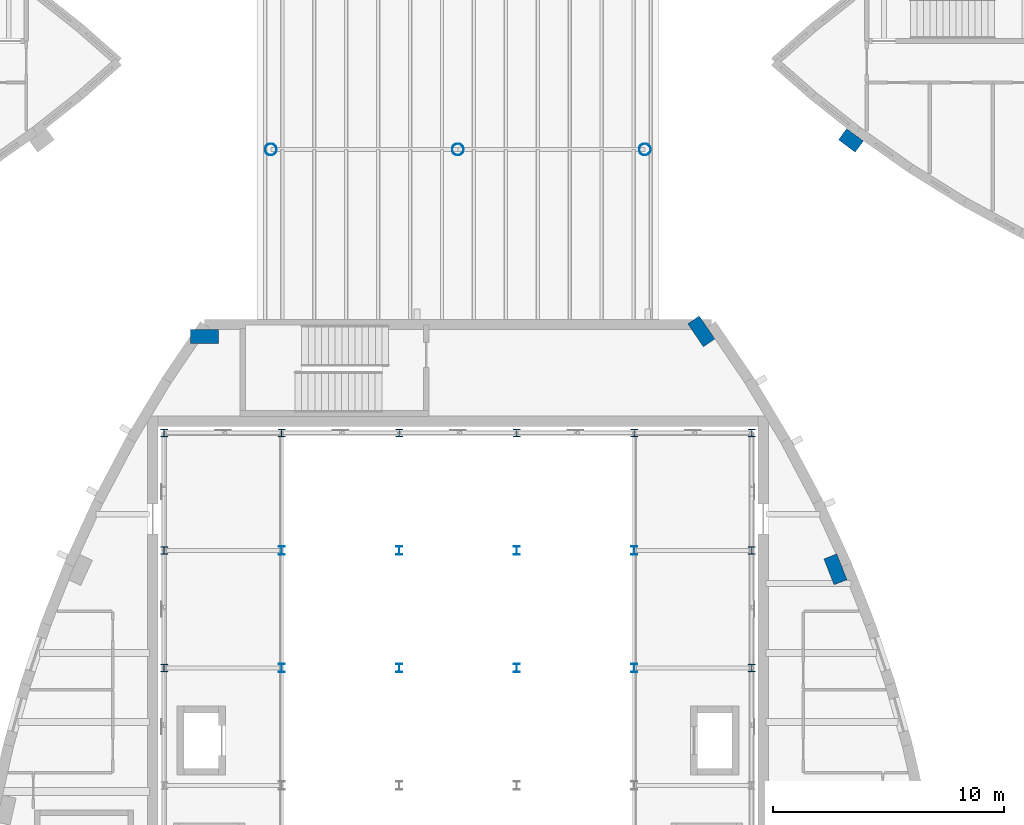
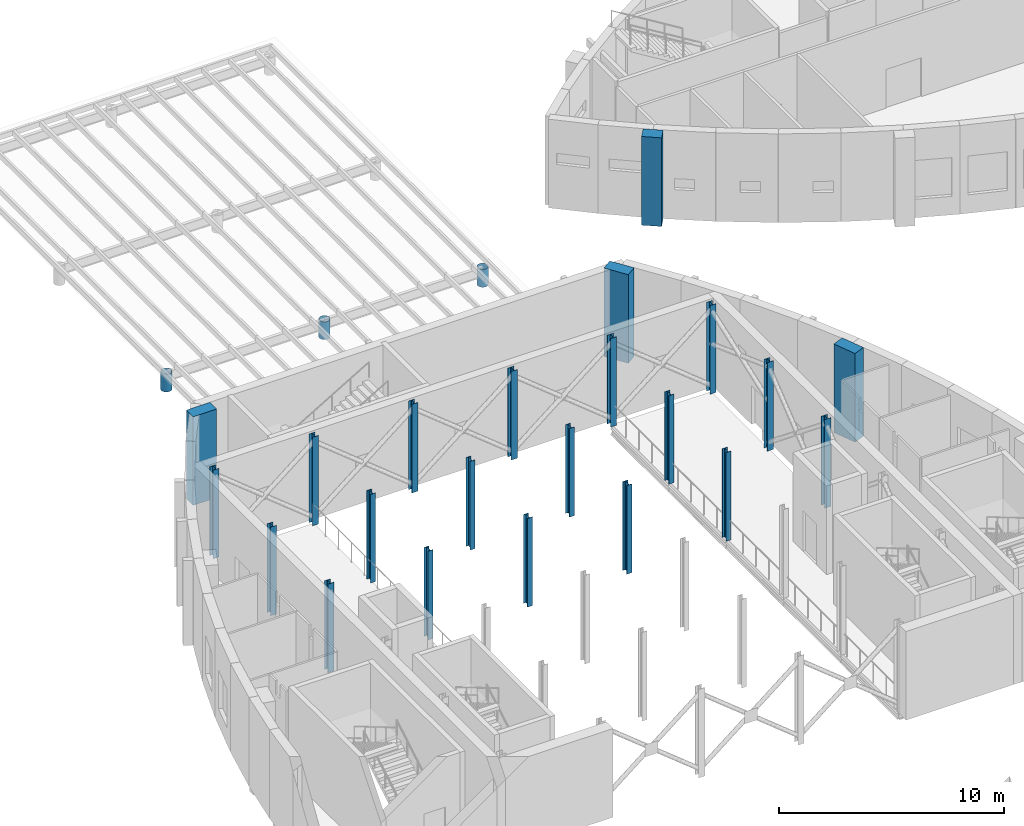
# One storey, part 4 of 93: 25 columns.
"""IFC4 building model written with IfcOpenShell, lengths in metres."""

from ifc_helpers import new_model, si_unit, direction, frame, origin, origin_2d, place, context, subcontext, project, spatial, rectangle, hollow_circle, i_section, extrude, material, material_profile, profile_set, type_object, element, save


model = new_model("IFC4")

# Units and contexts
model_context = context("Model", 3, precision=1e-05, world=origin(), true_north=direction((0.0, 1.0)))
body_context = subcontext(model_context, "Body", "Model", "MODEL_VIEW")
ifc_project = project(units=[si_unit("LENGTHUNIT", "METRE"), si_unit("AREAUNIT", "SQUARE_METRE"), si_unit("VOLUMEUNIT", "CUBIC_METRE"), si_unit("PLANEANGLEUNIT", "RADIAN"), si_unit("MASSUNIT", "GRAM", prefix="KILO")], contexts=[model_context])

# Site, building, storey
site_placement = place(None, origin())
site = spatial("IfcSite", under=ifc_project, at=site_placement, CompositionType="ELEMENT")
building_placement = place(site_placement, origin())
building = spatial("IfcBuilding", under=site, at=building_placement, Name="Tide Square Theatres", CompositionType="ELEMENT")
storey_placement = place(building_placement, frame((0.0, 0.0, 5.39990234375)))
storey = spatial("IfcBuildingStorey", under=building, at=storey_placement, Name="L01", CompositionType="ELEMENT", Elevation=5.39990234375)

# Columns
ifc_material_1 = material(Name="Concrete C40", Category="concrete")
ifc_material_profile_1 = material_profile(ifc_material_1, rectangle(XDim=1.199951171875, YDim=0.60009765625, at=origin_2d()))
ifc_profile_set_1 = profile_set([ifc_material_profile_1], Name="Concrete C40")
column_type_1 = type_object("IfcColumnType", Name="RC pier 1200 x 600", PredefinedType="PILASTER", material=ifc_profile_set_1)
for number, where, z_axis, x_axis, name in (
    (1, (100.348876953125, 75.814208984375, 0.0), (0.0, 0.0, 1.0), (-0.366955870742, 0.930238350601, 0.0), "Rib foot pier"),
    (2, (94.5400390625, 86.121826171875, 0.0), (0.0, 0.0, 1.0), (-0.562978035902, 0.82647185741, 0.0), "Rib foot pier"),
    (3, (73.02587890625, 85.892333984375, 0.0), (0.0, 0.0, 1.0), (-1.0, 0.0, 0.0), "Rib foot pier"),
):
    element("IfcColumn", number, at=place(storey_placement, frame(where, z_axis=z_axis, x_axis=x_axis)), inside=storey, type_object=column_type_1, Name=name, PredefinedType="PILASTER", context=body_context, shape_type="SweptSolid", body=[
        extrude(rectangle(XDim=1.199951171875, YDim=0.60009765625, at=origin_2d()), origin(), (0.0, 0.0, 1.0), 4.800048828125),
    ])
ifc_material_2 = material(Name="Concrete C40", Category="concrete")
ifc_material_profile_2 = material_profile(ifc_material_2, rectangle(XDim=0.89990234375, YDim=0.60009765625, at=origin_2d()))
ifc_profile_set_2 = profile_set([ifc_material_profile_2], Name="Concrete C40")
column_type_2 = type_object("IfcColumnType", Name="RC pier 900 x 600", PredefinedType="PILASTER", material=ifc_profile_set_2)
column_placement = place(storey_placement, frame((101.02099609375, 94.390625, 0.0), z_axis=(0.0, 0.0, 1.0), x_axis=(0.80192785119, -0.597420891403, 0.0)))
element("IfcColumn", 4, at=column_placement, inside=storey, type_object=column_type_2, Name="Rehearsal Block rib pier 1", PredefinedType="PILASTER", context=body_context, shape_type="SweptSolid", body=[
    extrude(rectangle(XDim=0.89990234375, YDim=0.60009765625, at=origin_2d()), origin(), (0.0, 0.0, 1.0), 4.800048828125),
])
ifc_material_3 = material(Name="Steel ASTM A500 Grade C", Category="steel")
ifc_material_profile_3 = material_profile(ifc_material_3, hollow_circle(Radius=0.25390625, WallThickness=0.012451171875, at=origin_2d()))
ifc_profile_set_3 = profile_set([ifc_material_profile_3], Name="Steel ASTM A500 Grade C")
column_type_3 = type_object("IfcColumnType", Name="Steel column CHS 508.0 x 12.5", PredefinedType="COLUMN", material=ifc_profile_set_3)
for number, where, z_axis, x_axis, name in (
    (5, (75.89990234375, 94.0, 0.0), (0.0, 0.0, 1.0), (1.0, 0.0, 0.0), "Scenery dock canopy column"),
    (6, (84.0, 94.0, 0.0), (0.0, 0.0, 1.0), (1.0, 0.0, 0.0), "Scenery dock canopy column"),
    (7, (92.10009765625, 94.0, 0.0), (0.0, 0.0, 1.0), (1.0, 0.0, 0.0), "Scenery dock canopy column"),
):
    element("IfcColumn", number, at=place(storey_placement, frame(where, z_axis=z_axis, x_axis=x_axis)), inside=storey, type_object=column_type_3, Name=name, PredefinedType="COLUMN", context=body_context, shape_type="SweptSolid", body=[
        extrude(hollow_circle(Radius=0.25390625, WallThickness=0.012451171875, at=origin_2d()), origin(), (0.0, 0.0, 1.0), 0.960205078125),
    ])
ifc_material_4 = material(Name="Steel ASTM A572 Grade 50", Category="steel")
ifc_material_profile_4 = material_profile(ifc_material_4, i_section(OverallWidth=0.31201171875, OverallDepth=0.31201171875, WebThickness=0.017333984375, FlangeThickness=0.017333984375, FilletRadius=0.01611328125, at=origin_2d()))
ifc_profile_set_4 = profile_set([ifc_material_profile_4], Name="Steel ASTM A572 Grade 50")
column_type_4 = type_object("IfcColumnType", Name="Steel column HP 310 x 125.0", PredefinedType="COLUMN", material=ifc_profile_set_4)
for number, where, z_axis, x_axis, name in (
    (8, (71.27587890625, 71.544921875, 0.0), (0.0, 0.0, 1.0), (1.0, 0.0, 0.0), "Fly tower column"),
    (9, (71.27587890625, 76.634521484375, 0.0), (0.0, 0.0, 1.0), (1.0, 0.0, 0.0), "Fly tower column"),
    (10, (71.27587890625, 81.72412109375, 0.0), (0.0, 0.0, 1.0), (1.0, 0.0, 0.0), "Fly tower column"),
    (11, (76.365478515625, 81.72412109375, 0.0), (0.0, 0.0, 1.0), (1.0, 0.0, 0.0), "Fly tower column"),
    (12, (81.455078125, 81.72412109375, 0.0), (0.0, 0.0, 1.0), (1.0, 0.0, 0.0), "Fly tower column"),
    (13, (86.544921875, 81.72412109375, 0.0), (0.0, 0.0, 1.0), (1.0, 0.0, 0.0), "Fly tower column"),
    (14, (91.634521484375, 81.72412109375, 0.0), (0.0, 0.0, 1.0), (1.0, 0.0, 0.0), "Fly tower column"),
    (15, (96.72412109375, 71.544921875, 0.0), (0.0, 0.0, 1.0), (1.0, 0.0, 0.0), "Fly tower column"),
    (16, (96.72412109375, 76.634521484375, 0.0), (0.0, 0.0, 1.0), (1.0, 0.0, 0.0), "Fly tower column"),
    (17, (96.72412109375, 81.72412109375, 0.0), (0.0, 0.0, 1.0), (1.0, 0.0, 0.0), "Fly tower column"),
):
    element("IfcColumn", number, at=place(storey_placement, frame(where, z_axis=z_axis, x_axis=x_axis)), inside=storey, type_object=column_type_4, Name=name, PredefinedType="COLUMN", context=body_context, shape_type="SweptSolid", body=[
        extrude(i_section(OverallWidth=0.31201171875, OverallDepth=0.31201171875, WebThickness=0.017333984375, FlangeThickness=0.017333984375, FilletRadius=0.01611328125, at=origin_2d()), origin(), (0.0, 0.0, 1.0), 4.800048828125),
    ])
ifc_material_5 = material(Name="Steel ASTM A572 Grade 50", Category="steel")
ifc_material_profile_5 = material_profile(ifc_material_5, i_section(OverallWidth=0.257080078125, OverallDepth=0.363037109375, WebThickness=0.012939453125, FlangeThickness=0.021728515625, FilletRadius=0.01611328125, at=origin_2d()))
ifc_profile_set_5 = profile_set([ifc_material_profile_5], Name="Steel ASTM A572 Grade 50")
column_type_5 = type_object("IfcColumnType", Name="Steel column W 360 x 122.0", PredefinedType="COLUMN", material=ifc_profile_set_5)
for number, where, z_axis, x_axis, name in (
    (18, (76.365478515625, 71.544921875, 0.0), (0.0, 0.0, 1.0), (1.0, 0.0, 0.0), "Fly tower column"),
    (19, (76.365478515625, 76.634521484375, 0.0), (0.0, 0.0, 1.0), (1.0, 0.0, 0.0), "Fly tower column"),
    (20, (81.455078125, 71.544921875, 0.0), (0.0, 0.0, 1.0), (1.0, 0.0, 0.0), "Fly tower column"),
    (21, (81.455078125, 76.634521484375, 0.0), (0.0, 0.0, 1.0), (1.0, 0.0, 0.0), "Fly tower column"),
    (22, (86.544921875, 71.544921875, 0.0), (0.0, 0.0, 1.0), (1.0, 0.0, 0.0), "Fly tower column"),
    (23, (86.544921875, 76.634521484375, 0.0), (0.0, 0.0, 1.0), (1.0, 0.0, 0.0), "Fly tower column"),
    (24, (91.634521484375, 71.544921875, 0.0), (0.0, 0.0, 1.0), (1.0, 0.0, 0.0), "Fly tower column"),
    (25, (91.634521484375, 76.634521484375, 0.0), (0.0, 0.0, 1.0), (1.0, 0.0, 0.0), "Fly tower column"),
):
    element("IfcColumn", number, at=place(storey_placement, frame(where, z_axis=z_axis, x_axis=x_axis)), inside=storey, type_object=column_type_5, Name=name, PredefinedType="COLUMN", context=body_context, shape_type="SweptSolid", body=[
        extrude(i_section(OverallWidth=0.257080078125, OverallDepth=0.363037109375, WebThickness=0.012939453125, FlangeThickness=0.021728515625, FilletRadius=0.01611328125, at=origin_2d()), origin(), (0.0, 0.0, 1.0), 4.800048828125),
    ])

save(model, "model.ifc")
